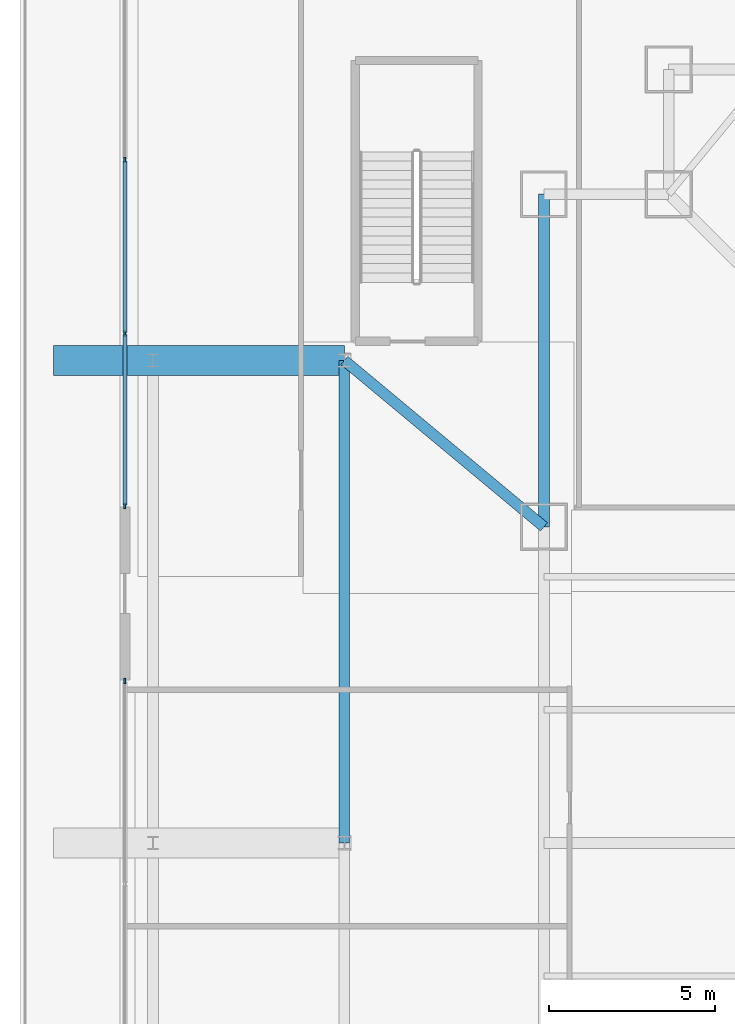
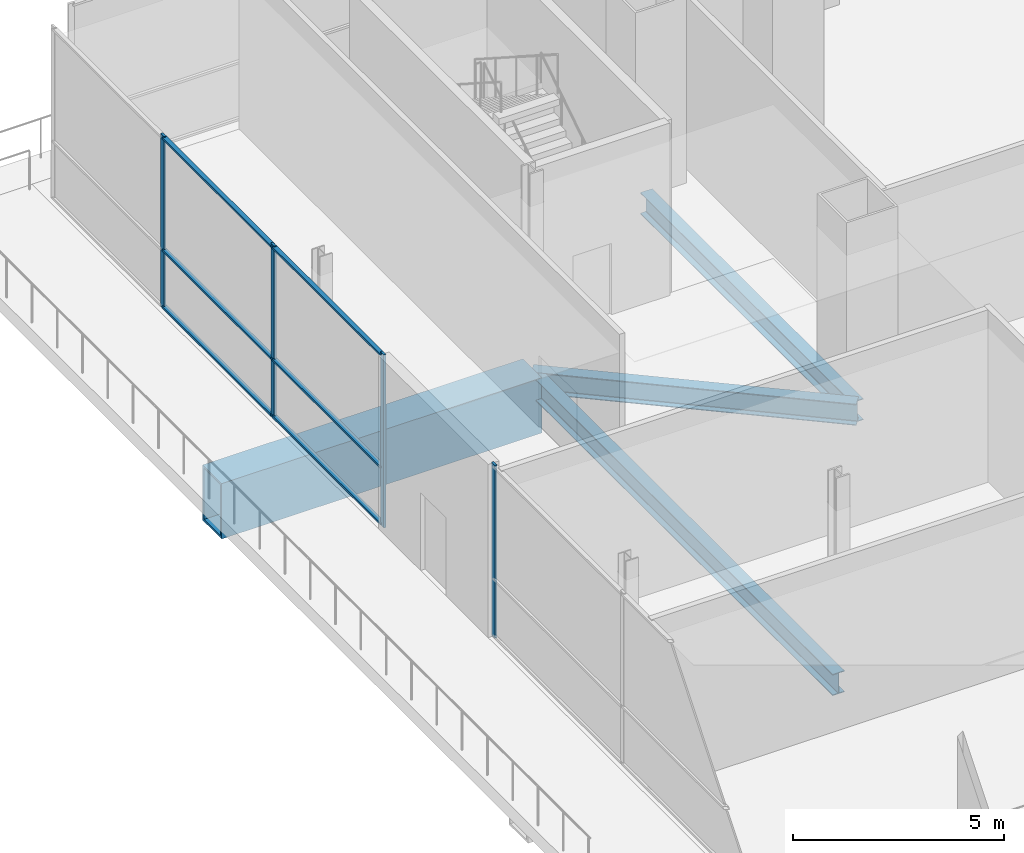
# One storey, part 12 of 35: 10 members, 4 beams, 2 elements without a shape of their own.
"""IFC4 building model written with IfcOpenShell, lengths in metres."""

from ifc_helpers import new_model, si_unit, direction, frame, origin, origin_2d, place, context, subcontext, project, spatial, rectangle, hollow_rectangle, i_section, extrude, material, layer, layer_set, material_profile, profile_set, type_object, element, aggregate, save


model = new_model("IFC4")

# Units and contexts
model_context = context("Model", 3, precision=1e-05, world=origin(), true_north=direction((0.0, 1.0)))
body_context = subcontext(model_context, "Body", "Model", "MODEL_VIEW")
ifc_project = project(units=[si_unit("LENGTHUNIT", "METRE"), si_unit("AREAUNIT", "SQUARE_METRE"), si_unit("VOLUMEUNIT", "CUBIC_METRE"), si_unit("PLANEANGLEUNIT", "RADIAN"), si_unit("MASSUNIT", "GRAM", prefix="KILO")], contexts=[model_context])

# Site, building, storey
site_placement = place(None, origin())
site = spatial("IfcSite", under=ifc_project, at=site_placement, CompositionType="ELEMENT")
building_placement = place(site_placement, origin())
building = spatial("IfcBuilding", under=site, at=building_placement, Name="Trevonay Congress Spire", CompositionType="ELEMENT")
storey_placement = place(building_placement, frame((0.0, 0.0, 10.800048828125)))
storey = spatial("IfcBuildingStorey", under=building, at=storey_placement, Name="L02", CompositionType="ELEMENT", Elevation=10.800048828125)

# Beams
ifc_material_1 = material(Name="Steel ASTM A572 Grade 50", Category="steel")
ifc_material_profile_1 = material_profile(ifc_material_1, i_section(OverallWidth=0.324951171875, OverallDepth=0.615966796875, WebThickness=0.013916015625, FlangeThickness=0.021484375, FilletRadius=0.01806640625, at=origin_2d()), Name="W610x174")
ifc_profile_set_1 = profile_set([ifc_material_profile_1], Name="Steel ASTM A572 Grade 50")
beam_type_1 = type_object("IfcBeamType", Name="BM-GIRD-W610X174", PredefinedType="BEAM", material=ifc_profile_set_1)
beam_1_placement = place(storey_placement, frame((-23.25, 9.5, -0.7080078125), z_axis=(0.0, 1.0, 0.0), x_axis=(-1.0, 0.0, 0.0)))
element("IfcBeam", 1, at=beam_1_placement, inside=storey, type_object=beam_type_1, Name="L02 structural beam BM-L02-MW3", PredefinedType="BEAM", context=body_context, shape_type="SweptSolid", body=[
    extrude(i_section(OverallWidth=0.324951171875, OverallDepth=0.615966796875, WebThickness=0.013916015625, FlangeThickness=0.021484375, FilletRadius=0.01806640625, at=origin_2d()), origin(), (0.0, 0.0, 1.0), 10.0),
])
beam_2_placement = place(storey_placement, frame((-29.25, 0.0, -0.7080078125), z_axis=(0.0, 1.0, 0.0), x_axis=(-1.0, 0.0, 0.0)))
element("IfcBeam", 2, at=beam_2_placement, inside=storey, type_object=beam_type_1, Name="L02 structural beam BM-L02-POD-WH", PredefinedType="BEAM", context=body_context, shape_type="SweptSolid", body=[
    extrude(i_section(OverallWidth=0.324951171875, OverallDepth=0.615966796875, WebThickness=0.013916015625, FlangeThickness=0.021484375, FilletRadius=0.01806640625, at=origin_2d()), origin(), (0.0, 0.0, 1.0), 14.5),
])
beam_3_placement = place(storey_placement, frame((-23.25, 9.5, -0.7080078125), z_axis=(-0.768221279597, 0.640184399664, 0.0), x_axis=(-0.640184399664, -0.768221279597, 0.0)))
element("IfcBeam", 3, at=beam_3_placement, inside=storey, type_object=beam_type_1, Name="L02 structural beam BM-L02-POD-WT2", PredefinedType="BEAM", context=body_context, shape_type="SweptSolid", body=[
    extrude(i_section(OverallWidth=0.324951171875, OverallDepth=0.615966796875, WebThickness=0.013916015625, FlangeThickness=0.021484375, FilletRadius=0.01806640625, at=origin_2d()), origin(), (0.0, 0.0, 1.0), 7.810302734375),
])
ifc_material_profile_2 = material_profile(ifc_material_1, hollow_rectangle(XDim=0.89990234375, YDim=1.60009765625, WallThickness=0.06005859375, at=origin_2d()), Name="BOX 1600x900x60")
ifc_profile_set_2 = profile_set([ifc_material_profile_2], Name="Steel ASTM A572 Grade 50")
beam_type_2 = type_object("IfcBeamType", Name="BM-XFER-BOX1600", PredefinedType="BEAM", material=ifc_profile_set_2)
beam_4_placement = place(storey_placement, frame((-29.25, 14.5, -1.199951171875), z_axis=(-1.0, 0.0, 0.0), x_axis=(0.0, -1.0, 0.0)))
element("IfcBeam", 4, at=beam_4_placement, inside=storey, type_object=beam_type_2, Name="L02 structural beam BM-L02-EXW-N", PredefinedType="BEAM", context=body_context, shape_type="SweptSolid", body=[
    extrude(hollow_rectangle(XDim=0.89990234375, YDim=1.60009765625, WallThickness=0.06005859375, at=origin_2d()), origin(), (0.0, 0.0, 1.0), 8.75),
])

# Curtain wall, member
ifc_material_2 = material(Name="Pale Anodised Aluminium EN AW-6063-T6", Category="aluminium")
ifc_layer = layer(ifc_material_2, 0.179931640625, Name="Pale Anodised Aluminium EN AW-6063-T6")
ifc_layer_set = layer_set([ifc_layer], Name="Pale Anodised Aluminium EN AW-6063-T6")
curtain_wall_type = type_object("IfcCurtainWallType", Name="CW-SYS01-PODIUM-PALE-METAL", PredefinedType="NOTDEFINED", material=ifc_layer_set)
curtain_wall_1_placement = place(storey_placement, origin())
curtain_wall_1 = element("IfcCurtainWall", 5, at=curtain_wall_1_placement, inside=storey, type_object=curtain_wall_type, Name="L02 W1 podium curtain wall", PredefinedType="NOTDEFINED")
ifc_material_profile_3 = material_profile(ifc_material_2, rectangle(XDim=0.06005859375, YDim=0.159912109375, at=origin_2d()), Name="CW-MULLION-160-ALUMINIUM")
ifc_profile_set_3 = profile_set([ifc_material_profile_3], Name="Pale Anodised Aluminium EN AW-6063-T6")
member_type_1 = type_object("IfcMemberType", Name="CW-MULLION-160-ALUMINIUM", PredefinedType="MULLION", material=ifc_profile_set_3)
member_1_placement = place(storey_placement, frame((-35.85009765625, 4.8701171875, 0.0), z_axis=(0.0, 0.0, 1.0), x_axis=(-1.0, 0.0, 0.0)))
member_1 = element("IfcMember", 6, at=member_1_placement, type_object=member_type_1, Name="CW01 mullion 6", PredefinedType="MULLION", context=body_context, shape_type="SweptSolid", body=[
    extrude(rectangle(XDim=0.06005859375, YDim=0.159912109375, at=origin_2d()), origin(), (0.0, 0.0, 1.0), 5.0),
])
aggregate(curtain_wall_1, [member_1])

# Curtain wall, members
curtain_wall_2_placement = place(storey_placement, origin())
curtain_wall_2 = element("IfcCurtainWall", 7, at=curtain_wall_2_placement, inside=storey, type_object=curtain_wall_type, Name="L02 W2 podium curtain wall", PredefinedType="NOTDEFINED")
member_2_placement = place(storey_placement, frame((-35.85009765625, 10.1298828125, 0.0), z_axis=(0.0, 0.0, 1.0), x_axis=(-1.0, 0.0, 0.0)))
member_2 = element("IfcMember", 8, at=member_2_placement, type_object=member_type_1, Name="CW01 mullion 1", PredefinedType="MULLION", context=body_context, shape_type="SweptSolid", body=[
    extrude(rectangle(XDim=0.06005859375, YDim=0.159912109375, at=origin_2d()), origin(), (0.0, 0.0, 1.0), 5.0),
])
member_3_placement = place(storey_placement, frame((-35.85009765625, 15.316650390625, 0.0), z_axis=(0.0, 0.0, 1.0), x_axis=(-1.0, 0.0, 0.0)))
member_3 = element("IfcMember", 9, at=member_3_placement, type_object=member_type_1, Name="CW01 mullion 2", PredefinedType="MULLION", context=body_context, shape_type="SweptSolid", body=[
    extrude(rectangle(XDim=0.06005859375, YDim=0.159912109375, at=origin_2d()), origin(), (0.0, 0.0, 1.0), 5.0),
])
member_4_placement = place(storey_placement, frame((-35.85009765625, 20.533447265625, 0.0), z_axis=(0.0, 0.0, 1.0), x_axis=(-1.0, 0.0, 0.0)))
member_4 = element("IfcMember", 10, at=member_4_placement, type_object=member_type_1, Name="CW01 mullion 3", PredefinedType="MULLION", context=body_context, shape_type="SweptSolid", body=[
    extrude(rectangle(XDim=0.06005859375, YDim=0.159912109375, at=origin_2d()), origin(), (0.0, 0.0, 1.0), 5.0),
])
ifc_material_profile_4 = material_profile(ifc_material_2, rectangle(XDim=0.1201171875, YDim=0.06005859375, at=origin_2d()), Name="CW-TRANSOM-120-ALUMINIUM")
ifc_profile_set_4 = profile_set([ifc_material_profile_4], Name="Pale Anodised Aluminium EN AW-6063-T6")
member_type_2 = type_object("IfcMemberType", Name="CW-TRANSOM-120-ALUMINIUM", PredefinedType="USERDEFINED", material=ifc_profile_set_4)
member_5_placement = place(storey_placement, frame((-35.85009765625, 10.159912109375, 0.06005859375), z_axis=(0.0, 1.0, 0.0), x_axis=(-1.0, 0.0, 0.0)))
member_5 = element("IfcMember", 11, at=member_5_placement, type_object=member_type_2, Name="CW01 transom 1.1", ObjectType="TRANSOM", PredefinedType="USERDEFINED", context=body_context, shape_type="SweptSolid", body=[
    extrude(rectangle(XDim=0.1201171875, YDim=0.06005859375, at=origin_2d()), origin(), (0.0, 0.0, 1.0), 5.126708984375),
])
member_6_placement = place(storey_placement, frame((-35.85009765625, 10.159912109375, 1.699951171875), z_axis=(0.0, 1.0, 0.0), x_axis=(-1.0, 0.0, 0.0)))
member_6 = element("IfcMember", 12, at=member_6_placement, type_object=member_type_2, Name="CW01 transom 1.2", ObjectType="TRANSOM", PredefinedType="USERDEFINED", context=body_context, shape_type="SweptSolid", body=[
    extrude(rectangle(XDim=0.1201171875, YDim=0.06005859375, at=origin_2d()), origin(), (0.0, 0.0, 1.0), 5.126708984375),
])
member_7_placement = place(storey_placement, frame((-35.85009765625, 10.159912109375, 4.93994140625), z_axis=(0.0, 1.0, 0.0), x_axis=(-1.0, 0.0, 0.0)))
member_7 = element("IfcMember", 13, at=member_7_placement, type_object=member_type_2, Name="CW01 transom 1.3", ObjectType="TRANSOM", PredefinedType="USERDEFINED", context=body_context, shape_type="SweptSolid", body=[
    extrude(rectangle(XDim=0.1201171875, YDim=0.06005859375, at=origin_2d()), origin(), (0.0, 0.0, 1.0), 5.126708984375),
])
member_8_placement = place(storey_placement, frame((-35.85009765625, 15.3466796875, 0.06005859375), z_axis=(0.0, 1.0, 0.0), x_axis=(-1.0, 0.0, 0.0)))
member_8 = element("IfcMember", 14, at=member_8_placement, type_object=member_type_2, Name="CW01 transom 2.1", ObjectType="TRANSOM", PredefinedType="USERDEFINED", context=body_context, shape_type="SweptSolid", body=[
    extrude(rectangle(XDim=0.1201171875, YDim=0.06005859375, at=origin_2d()), origin(), (0.0, 0.0, 1.0), 5.15673828125),
])
member_9_placement = place(storey_placement, frame((-35.85009765625, 15.3466796875, 1.699951171875), z_axis=(0.0, 1.0, 0.0), x_axis=(-1.0, 0.0, 0.0)))
member_9 = element("IfcMember", 15, at=member_9_placement, type_object=member_type_2, Name="CW01 transom 2.2", ObjectType="TRANSOM", PredefinedType="USERDEFINED", context=body_context, shape_type="SweptSolid", body=[
    extrude(rectangle(XDim=0.1201171875, YDim=0.06005859375, at=origin_2d()), origin(), (0.0, 0.0, 1.0), 5.15673828125),
])
member_10_placement = place(storey_placement, frame((-35.85009765625, 15.3466796875, 4.93994140625), z_axis=(0.0, 1.0, 0.0), x_axis=(-1.0, 0.0, 0.0)))
member_10 = element("IfcMember", 16, at=member_10_placement, type_object=member_type_2, Name="CW01 transom 2.3", ObjectType="TRANSOM", PredefinedType="USERDEFINED", context=body_context, shape_type="SweptSolid", body=[
    extrude(rectangle(XDim=0.1201171875, YDim=0.06005859375, at=origin_2d()), origin(), (0.0, 0.0, 1.0), 5.15673828125),
])
aggregate(curtain_wall_2, [member_2, member_3, member_4, member_5, member_6, member_7, member_8, member_9, member_10])

save(model, "model.ifc")
